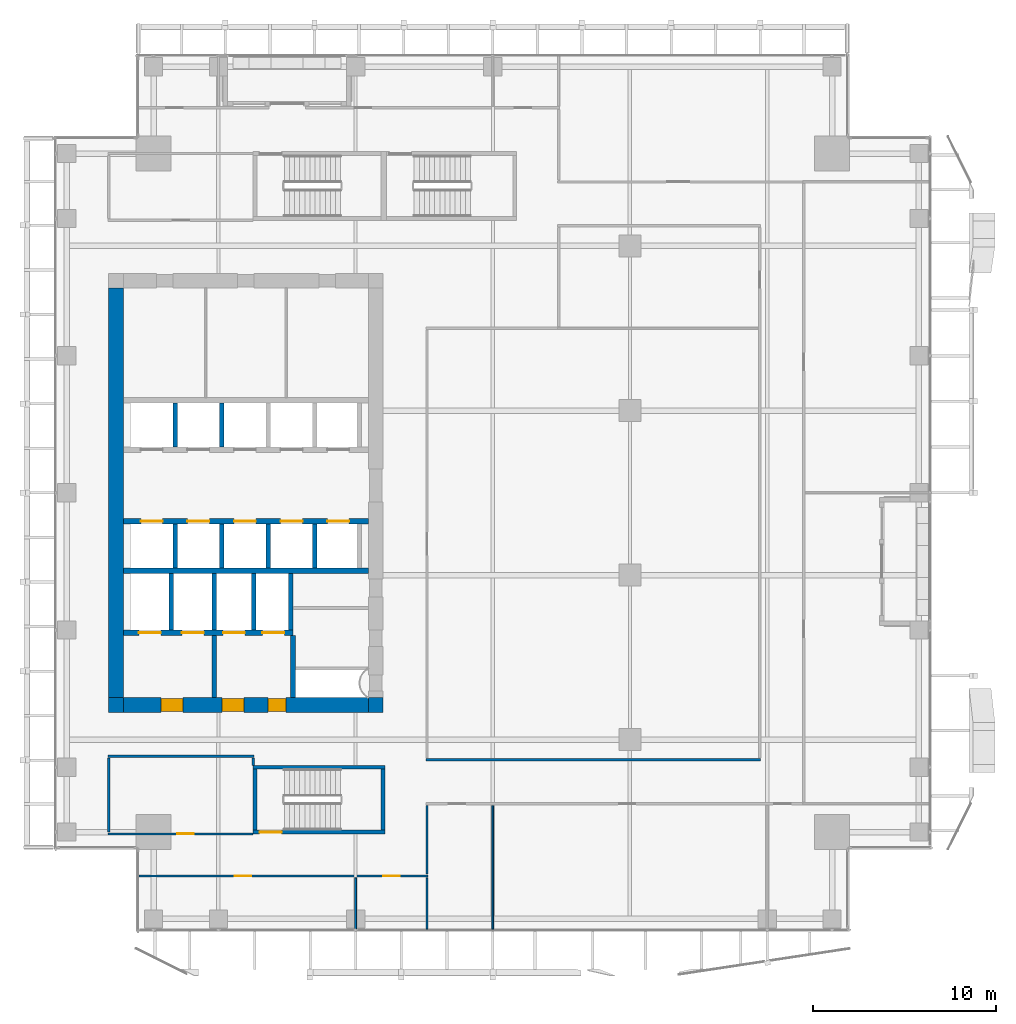
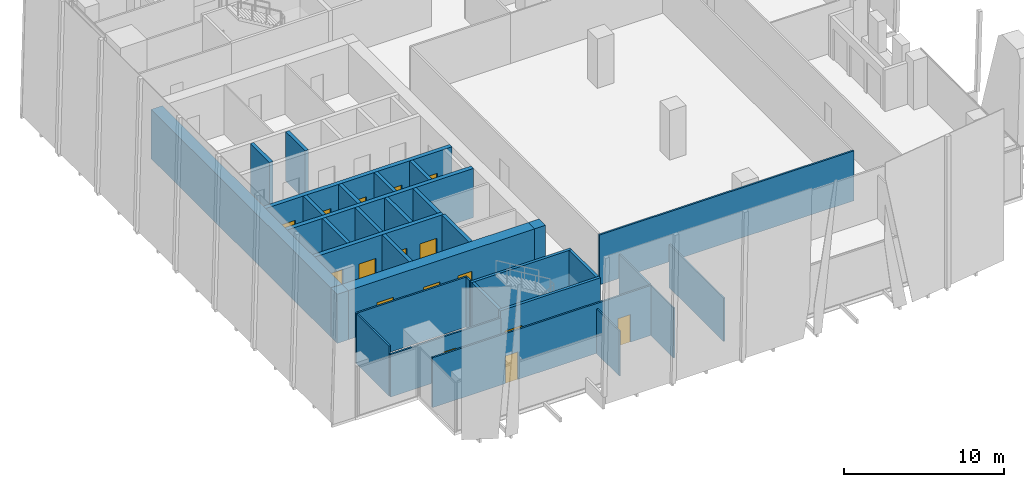
# One storey, part 28 of 35: 33 walls, 16 doors, 16 openings.
"""IFC4 building model written with IfcOpenShell, lengths in metres."""

from ifc_helpers import new_model, si_unit, direction, frame, frame_2d, origin, place, context, subcontext, project, spatial, rectangle, extrude, source, transform, mapped, material, layer, layer_set, type_object, element, fill, save


model = new_model("IFC4")

# Units and contexts
model_context = context("Model", 3, precision=1e-05, world=origin(), true_north=direction((0.0, 1.0)))
body_context = subcontext(model_context, "Body", "Model", "MODEL_VIEW")
ifc_project = project(units=[si_unit("LENGTHUNIT", "METRE"), si_unit("AREAUNIT", "SQUARE_METRE"), si_unit("VOLUMEUNIT", "CUBIC_METRE"), si_unit("PLANEANGLEUNIT", "RADIAN"), si_unit("MASSUNIT", "GRAM", prefix="KILO")], contexts=[model_context])

# Site, building, storey
site_placement = place(None, origin())
site = spatial("IfcSite", under=ifc_project, at=site_placement, CompositionType="ELEMENT")
building_placement = place(site_placement, origin())
building = spatial("IfcBuilding", under=site, at=building_placement, Name="Khomas Fold Tower", CompositionType="ELEMENT")
storey_placement = place(building_placement, frame((0.0, 0.0, 200.699951171875)))
storey = spatial("IfcBuildingStorey", under=building, at=storey_placement, Name="L44", CompositionType="ELEMENT", Elevation=200.699951171875)

# Wall, openings, doors
ifc_material_1 = material(Name="Concrete C60/75", Category="concrete")
ifc_layer_1 = layer(ifc_material_1, 0.800048828125)
ifc_layer_set_1 = layer_set([ifc_layer_1], Name="Concrete C60/75")
wall_type_1 = type_object("IfcWallType", Name="Core wall 800", PredefinedType="SHEAR", material=ifc_layer_set_1)
shared_shape_1 = source(origin(), body_context, "Body", "SweptSolid", [
    extrude(rectangle(XDim=13.39990234375, YDim=0.800048828125, at=frame_2d((6.699951171875, 0.0))), origin(), (0.0, 0.0, 1.0), 3.75),
])
wall_1_placement = place(storey_placement, frame((6.800048828125, 15.39990234375, 0.0), z_axis=(0.0, 0.0, 1.0), x_axis=(1.0, 0.0, 0.0)))
wall_1 = element("IfcWall", 1, at=wall_1_placement, inside=storey, type_object=wall_type_1, Name="Core wall CW-U-S-L35", PredefinedType="SHEAR", context=body_context, shape_type="MappedRepresentation", body=[
    mapped(shared_shape_1, transform((0.0, 0.0, 0.0))),
])
shared_shape_2 = source(origin(), body_context, "Body", "SweptSolid", [
    extrude(rectangle(XDim=1.199951171875, YDim=2.10009765625, at=frame_2d((0.60009765625, 1.050048828125))), frame((0.0, 0.409912109375, 0.0), z_axis=(0.0, -1.0, 0.0), x_axis=(1.0, 0.0, 0.0)), (0.0, 0.0, 1.0), 0.820068359375),
])
opening_1_placement = place(wall_1_placement, frame((5.39990234375, 0.0, 0.0)))
opening_1 = element("IfcOpeningElement", 2, at=opening_1_placement, cuts=wall_1, Name="Opening 0009", PredefinedType="OPENING", context=body_context, shape_type="MappedRepresentation", body=[
    mapped(shared_shape_2, transform((0.0, 0.0, 0.0))),
])
opening_2_placement = place(wall_1_placement, frame((2.050048828125, 0.0, 0.0)))
opening_2 = element("IfcOpeningElement", 3, at=opening_2_placement, cuts=wall_1, Name="Opening 0009", PredefinedType="OPENING", context=body_context, shape_type="MappedRepresentation", body=[
    mapped(shared_shape_2, transform((0.0, 0.0, 0.0))),
])
shared_shape_3 = source(origin(), body_context, "Body", "SweptSolid", [
    extrude(rectangle(XDim=1.0, YDim=2.10009765625, at=frame_2d((0.5, 1.050048828125))), frame((0.0, 0.409912109375, 0.0), z_axis=(0.0, -1.0, 0.0), x_axis=(1.0, 0.0, 0.0)), (0.0, 0.0, 1.0), 0.820068359375),
])
opening_3_placement = place(wall_1_placement, frame((7.89990234375, 0.0, 0.0)))
opening_3 = element("IfcOpeningElement", 4, at=opening_3_placement, cuts=wall_1, Name="Opening 0010", PredefinedType="OPENING", context=body_context, shape_type="MappedRepresentation", body=[
    mapped(shared_shape_3, transform((0.0, 0.0, 0.0))),
])
ifc_material_2 = material(Name="Steel door leaf", Category="steel")
door_type_1 = type_object("IfcDoorType", Name="Lobby door 1200x2100 right-hand", OperationType="SINGLE_SWING_RIGHT", PredefinedType="DOOR", material=ifc_material_2)
shared_shape_4 = source(origin(), body_context, "Body", "SweptSolid", [
    extrude(rectangle(XDim=1.199951171875, YDim=2.10009765625, at=frame_2d((0.60009765625, 1.050048828125))), frame((0.0, 0.35009765625, 0.0), z_axis=(0.0, -1.0, 0.0), x_axis=(1.0, 0.0, 0.0)), (0.0, 0.0, 1.0), 0.699951171875),
])
door_1_placement = place(opening_1_placement, origin())
door_1 = element("IfcDoor", 5, at=door_1_placement, inside=storey, type_object=door_type_1, Name="Lobby door", OperationType="SINGLE_SWING_RIGHT", OverallHeight=2.10009765625, OverallWidth=1.199951171875, PredefinedType="DOOR", context=body_context, shape_type="MappedRepresentation", body=[
    mapped(shared_shape_4, transform((0.0, 0.0, 0.0))),
])
fill(opening_1, door_1)
door_2_placement = place(opening_2_placement, origin())
door_2 = element("IfcDoor", 6, at=door_2_placement, inside=storey, type_object=door_type_1, Name="Lobby door", OperationType="SINGLE_SWING_RIGHT", OverallHeight=2.10009765625, OverallWidth=1.199951171875, PredefinedType="DOOR", context=body_context, shape_type="MappedRepresentation", body=[
    mapped(shared_shape_4, transform((0.0, 0.0, 0.0))),
])
fill(opening_2, door_2)
ifc_material_3 = material(Name="Steel door leaf", Category="steel")
door_type_2 = type_object("IfcDoorType", Name="Stair door 1000x2100 right-hand", OperationType="SINGLE_SWING_RIGHT", PredefinedType="DOOR", material=ifc_material_3)
shared_shape_5 = source(origin(), body_context, "Body", "SweptSolid", [
    extrude(rectangle(XDim=1.0, YDim=2.10009765625, at=frame_2d((0.5, 1.050048828125))), frame((0.0, 0.35009765625, 0.0), z_axis=(0.0, -1.0, 0.0), x_axis=(1.0, 0.0, 0.0)), (0.0, 0.0, 1.0), 0.699951171875),
])
door_3_placement = place(opening_3_placement, origin())
door_3 = element("IfcDoor", 7, at=door_3_placement, inside=storey, type_object=door_type_2, Name="Stair door", OperationType="SINGLE_SWING_RIGHT", OverallHeight=2.10009765625, OverallWidth=1.0, PredefinedType="DOOR", context=body_context, shape_type="MappedRepresentation", body=[
    mapped(shared_shape_5, transform((0.0, 0.0, 0.0))),
])
fill(opening_3, door_3)

# Walls
ifc_material_4 = material(Name="Concrete C60/75", Category="concrete")
ifc_layer_2 = layer(ifc_material_4, 0.800048828125)
ifc_layer_set_2 = layer_set([ifc_layer_2], Name="Concrete C60/75")
wall_type_2 = type_object("IfcWallType", Name="Core corner wall 800", PredefinedType="SHEAR", material=ifc_layer_set_2)
shared_shape_6 = source(origin(), body_context, "Body", "SweptSolid", [
    extrude(rectangle(XDim=0.800048828125, YDim=0.800048828125, at=frame_2d((0.39990234375, 0.0))), origin(), (0.0, 0.0, 1.0), 3.75),
])
for number, where, z_axis, x_axis, name in (
    (8, (20.199951171875, 15.39990234375, 0.0), (0.0, 0.0, 1.0), (1.0, 0.0, 0.0), "Core wall CW-U-SE-L35"),
    (9, (6.0, 15.39990234375, 0.0), (0.0, 0.0, 1.0), (1.0, 0.0, 0.0), "Core wall CW-U-SW-L35"),
):
    element("IfcWall", number, at=place(storey_placement, frame(where, z_axis=z_axis, x_axis=x_axis)), inside=storey, type_object=wall_type_2, Name=name, PredefinedType="SHEAR", context=body_context, shape_type="MappedRepresentation", body=[
        mapped(shared_shape_6, transform((0.0, 0.0, 0.0))),
    ])
shared_shape_7 = source(origin(), body_context, "Body", "SweptSolid", [
    extrude(rectangle(XDim=22.39990234375, YDim=0.800048828125, at=frame_2d((11.199951171875, 0.0))), origin(), (0.0, 0.0, 1.0), 3.75),
])
wall_2_placement = place(storey_placement, frame((6.39990234375, 15.800048828125, 0.0), z_axis=(0.0, 0.0, 1.0), x_axis=(0.0, 1.0, 0.0)))
element("IfcWall", 10, at=wall_2_placement, inside=storey, type_object=wall_type_1, Name="Core wall CW-U-W-L35", PredefinedType="SHEAR", context=body_context, shape_type="MappedRepresentation", body=[
    mapped(shared_shape_7, transform((0.0, 0.0, 0.0))),
])
ifc_material_5 = material(Name="Concrete C50/60", Category="concrete")
ifc_layer_3 = layer(ifc_material_5, 0.199951171875)
ifc_layer_set_3 = layer_set([ifc_layer_3], Name="Concrete C50/60")
wall_type_3 = type_object("IfcWallType", Name="Stair wall 200", PredefinedType="SHEAR", material=ifc_layer_set_3)
shared_shape_8 = source(origin(), body_context, "Body", "SweptSolid", [
    extrude(rectangle(XDim=7.2001953125, YDim=0.199951171875, at=frame_2d((3.60009765625, 0.0))), origin(), (0.0, 0.0, 1.0), 3.75),
])
wall_3_placement = place(storey_placement, frame((13.89990234375, 12.0, 0.0), z_axis=(0.0, 0.0, 1.0), x_axis=(1.0, 0.0, 0.0)))
element("IfcWall", 11, at=wall_3_placement, inside=storey, type_object=wall_type_3, Name="Stair wall SW-ST2-NH", PredefinedType="SHEAR", context=body_context, shape_type="MappedRepresentation", body=[
    mapped(shared_shape_8, transform((0.0, 0.0, 0.0))),
])

# Wall, opening, door
wall_4_placement = place(storey_placement, frame((13.89990234375, 8.449951171875, 0.0), z_axis=(0.0, 0.0, 1.0), x_axis=(1.0, 0.0, 0.0)))
wall_4 = element("IfcWall", 12, at=wall_4_placement, inside=storey, type_object=wall_type_3, Name="Stair wall SW-ST2-S", PredefinedType="SHEAR", context=body_context, shape_type="MappedRepresentation", body=[
    mapped(shared_shape_8, transform((0.0, 0.0, 0.0))),
])
shared_shape_9 = source(origin(), body_context, "Body", "SweptSolid", [
    extrude(rectangle(XDim=1.199951171875, YDim=2.10009765625, at=frame_2d((0.60009765625, 1.050048828125))), frame((0.0, 0.10986328125, 0.0), z_axis=(0.0, -1.0, 0.0), x_axis=(1.0, 0.0, 0.0)), (0.0, 0.0, 1.0), 0.219970703125),
])
opening_4_placement = place(wall_4_placement, frame((0.35009765625, 0.0, 0.0)))
opening_4 = element("IfcOpeningElement", 13, at=opening_4_placement, cuts=wall_4, Name="Opening SD-ST2", PredefinedType="OPENING", context=body_context, shape_type="MappedRepresentation", body=[
    mapped(shared_shape_9, transform((0.0, 0.0, 0.0))),
])
ifc_material_6 = material(Name="Steel door leaf", Category="steel")
door_type_3 = type_object("IfcDoorType", Name="Stair door 1200x2100 right-hand", OperationType="SINGLE_SWING_RIGHT", PredefinedType="DOOR", material=ifc_material_6)
shared_shape_10 = source(origin(), body_context, "Body", "SweptSolid", [
    extrude(rectangle(XDim=1.199951171875, YDim=2.10009765625, at=frame_2d((0.60009765625, 1.050048828125))), frame((0.0, 0.02490234375, 0.0), z_axis=(0.0, -1.0, 0.0), x_axis=(1.0, 0.0, 0.0)), (0.0, 0.0, 1.0), 0.050048828125),
])
door_4_placement = place(opening_4_placement, origin())
door_4 = element("IfcDoor", 14, at=door_4_placement, inside=storey, type_object=door_type_3, Name="Stair door", OperationType="SINGLE_SWING_RIGHT", OverallHeight=2.10009765625, OverallWidth=1.199951171875, PredefinedType="DOOR", context=body_context, shape_type="MappedRepresentation", body=[
    mapped(shared_shape_10, transform((0.0, 0.0, 0.0))),
])
fill(opening_4, door_4)

# Walls
shared_shape_11 = source(origin(), body_context, "Body", "SweptSolid", [
    extrude(rectangle(XDim=3.349853515625, YDim=0.199951171875, at=frame_2d((1.6748046875, 0.0))), origin(), (0.0, 0.0, 1.0), 3.75),
])
for number, where, z_axis, x_axis, name in (
    (15, (21.0, 8.550048828125, 0.0), (0.0, 0.0, 1.0), (0.0, 1.0, 0.0), "Stair wall SW-ST2-E"),
    (16, (14.0, 8.550048828125, 0.0), (0.0, 0.0, 1.0), (0.0, 1.0, 0.0), "Stair wall SW-ST2-W"),
):
    element("IfcWall", number, at=place(storey_placement, frame(where, z_axis=z_axis, x_axis=x_axis)), inside=storey, type_object=wall_type_3, Name=name, PredefinedType="SHEAR", context=body_context, shape_type="MappedRepresentation", body=[
        mapped(shared_shape_11, transform((0.0, 0.0, 0.0))),
    ])
ifc_material_7 = material(Name="Concrete C50/60", Category="concrete")
ifc_layer_4 = layer(ifc_material_7, 0.300048828125)
ifc_layer_set_4 = layer_set([ifc_layer_4], Name="Concrete C50/60")
wall_type_4 = type_object("IfcWallType", Name="Shaft wall 300", PredefinedType="STANDARD", material=ifc_layer_set_4)
shared_shape_12 = source(origin(), body_context, "Body", "SweptSolid", [
    extrude(rectangle(XDim=13.39990234375, YDim=0.300048828125, at=frame_2d((6.699951171875, 0.0))), origin(), (0.0, 0.0, 1.0), 3.75),
])
wall_5_placement = place(storey_placement, frame((6.800048828125, 22.75, 0.0), z_axis=(0.0, 0.0, 1.0), x_axis=(1.0, 0.0, 0.0)))
element("IfcWall", 17, at=wall_5_placement, inside=storey, type_object=wall_type_4, Name="Core wall SW-FS-B", PredefinedType="STANDARD", context=body_context, shape_type="MappedRepresentation", body=[
    mapped(shared_shape_12, transform((0.0, 0.0, 0.0))),
])

# Wall, openings, doors
wall_6_placement = place(storey_placement, frame((6.800048828125, 25.449951171875, 0.0), z_axis=(0.0, 0.0, 1.0), x_axis=(1.0, 0.0, 0.0)))
wall_6 = element("IfcWall", 18, at=wall_6_placement, inside=storey, type_object=wall_type_4, Name="Core wall SW-HRS-F", PredefinedType="STANDARD", context=body_context, shape_type="MappedRepresentation", body=[
    mapped(shared_shape_12, transform((0.0, 0.0, 0.0))),
])
shared_shape_13 = source(origin(), body_context, "Body", "SweptSolid", [
    extrude(rectangle(XDim=1.199951171875, YDim=2.10009765625, at=frame_2d((0.60009765625, 1.050048828125))), frame((0.0, 0.159912109375, 0.0), z_axis=(0.0, -1.0, 0.0), x_axis=(1.0, 0.0, 0.0)), (0.0, 0.0, 1.0), 0.320068359375),
])
opening_5_placement = place(wall_6_placement, frame((0.949951171875, 0.0, 0.0)))
opening_5 = element("IfcOpeningElement", 19, at=opening_5_placement, cuts=wall_6, Name="Opening LD-HR1", PredefinedType="OPENING", context=body_context, shape_type="MappedRepresentation", body=[
    mapped(shared_shape_13, transform((0.0, 0.0, 0.0))),
])
opening_6_placement = place(wall_6_placement, frame((3.5, 0.0, 0.0)))
opening_6 = element("IfcOpeningElement", 20, at=opening_6_placement, cuts=wall_6, Name="Opening LD-HR2", PredefinedType="OPENING", context=body_context, shape_type="MappedRepresentation", body=[
    mapped(shared_shape_13, transform((0.0, 0.0, 0.0))),
])
opening_7_placement = place(wall_6_placement, frame((6.050048828125, 0.0, 0.0)))
opening_7 = element("IfcOpeningElement", 21, at=opening_7_placement, cuts=wall_6, Name="Opening LD-HR3", PredefinedType="OPENING", context=body_context, shape_type="MappedRepresentation", body=[
    mapped(shared_shape_13, transform((0.0, 0.0, 0.0))),
])
opening_8_placement = place(wall_6_placement, frame((8.60009765625, 0.0, 0.0)))
opening_8 = element("IfcOpeningElement", 22, at=opening_8_placement, cuts=wall_6, Name="Opening LD-MR1", PredefinedType="OPENING", context=body_context, shape_type="MappedRepresentation", body=[
    mapped(shared_shape_13, transform((0.0, 0.0, 0.0))),
])
opening_9_placement = place(wall_6_placement, frame((11.14990234375, 0.0, 0.0)))
opening_9 = element("IfcOpeningElement", 23, at=opening_9_placement, cuts=wall_6, Name="Opening LD-MR2", PredefinedType="OPENING", context=body_context, shape_type="MappedRepresentation", body=[
    mapped(shared_shape_13, transform((0.0, 0.0, 0.0))),
])
ifc_material_8 = material(Name="Steel door leaf", Category="steel")
door_type_4 = type_object("IfcDoorType", Name="Landing door 1200x2100", OperationType="DOUBLE_DOOR_SLIDING", PredefinedType="DOOR", material=ifc_material_8)
door_5_placement = place(opening_5_placement, origin())
door_5 = element("IfcDoor", 24, at=door_5_placement, inside=storey, type_object=door_type_4, Name="Lift landing door", OperationType="DOUBLE_DOOR_SLIDING", OverallHeight=2.10009765625, OverallWidth=1.199951171875, PredefinedType="DOOR", context=body_context, shape_type="MappedRepresentation", body=[
    mapped(shared_shape_10, transform((0.0, 0.0, 0.0))),
])
fill(opening_5, door_5)
door_6_placement = place(opening_6_placement, origin())
door_6 = element("IfcDoor", 25, at=door_6_placement, inside=storey, type_object=door_type_4, Name="Lift landing door", OperationType="DOUBLE_DOOR_SLIDING", OverallHeight=2.10009765625, OverallWidth=1.199951171875, PredefinedType="DOOR", context=body_context, shape_type="MappedRepresentation", body=[
    mapped(shared_shape_10, transform((0.0, 0.0, 0.0))),
])
fill(opening_6, door_6)
door_7_placement = place(opening_7_placement, origin())
door_7 = element("IfcDoor", 26, at=door_7_placement, inside=storey, type_object=door_type_4, Name="Lift landing door", OperationType="DOUBLE_DOOR_SLIDING", OverallHeight=2.10009765625, OverallWidth=1.199951171875, PredefinedType="DOOR", context=body_context, shape_type="MappedRepresentation", body=[
    mapped(shared_shape_10, transform((0.0, 0.0, 0.0))),
])
fill(opening_7, door_7)
door_8_placement = place(opening_8_placement, origin())
door_8 = element("IfcDoor", 27, at=door_8_placement, inside=storey, type_object=door_type_4, Name="Lift landing door", OperationType="DOUBLE_DOOR_SLIDING", OverallHeight=2.10009765625, OverallWidth=1.199951171875, PredefinedType="DOOR", context=body_context, shape_type="MappedRepresentation", body=[
    mapped(shared_shape_10, transform((0.0, 0.0, 0.0))),
])
fill(opening_8, door_8)
door_9_placement = place(opening_9_placement, origin())
door_9 = element("IfcDoor", 28, at=door_9_placement, inside=storey, type_object=door_type_4, Name="Lift landing door", OperationType="DOUBLE_DOOR_SLIDING", OverallHeight=2.10009765625, OverallWidth=1.199951171875, PredefinedType="DOOR", context=body_context, shape_type="MappedRepresentation", body=[
    mapped(shared_shape_10, transform((0.0, 0.0, 0.0))),
])
fill(opening_9, door_9)

shared_shape_14 = source(origin(), body_context, "Body", "SweptSolid", [
    extrude(rectangle(XDim=9.27490234375, YDim=0.300048828125, at=frame_2d((4.637451171875, 0.0))), origin(), (0.0, 0.0, 1.0), 3.75),
])
wall_7_placement = place(storey_placement, frame((6.800048828125, 19.35009765625, 0.0), z_axis=(0.0, 0.0, 1.0), x_axis=(1.0, 0.0, 0.0)))
wall_7 = element("IfcWall", 29, at=wall_7_placement, inside=storey, type_object=wall_type_4, Name="Core wall SW-FS-F", PredefinedType="STANDARD", context=body_context, shape_type="MappedRepresentation", body=[
    mapped(shared_shape_14, transform((0.0, 0.0, 0.0))),
])
opening_10_placement = place(wall_7_placement, frame((0.85009765625, 0.0, 0.0)))
opening_10 = element("IfcOpeningElement", 30, at=opening_10_placement, cuts=wall_7, Name="Opening LD-SV1", PredefinedType="OPENING", context=body_context, shape_type="MappedRepresentation", body=[
    mapped(shared_shape_13, transform((0.0, 0.0, 0.0))),
])
opening_11_placement = place(wall_7_placement, frame((3.199951171875, 0.0, 0.0)))
opening_11 = element("IfcOpeningElement", 31, at=opening_11_placement, cuts=wall_7, Name="Opening LD-SV2", PredefinedType="OPENING", context=body_context, shape_type="MappedRepresentation", body=[
    mapped(shared_shape_13, transform((0.0, 0.0, 0.0))),
])
opening_12_placement = place(wall_7_placement, frame((5.449951171875, 0.0, 0.0)))
opening_12 = element("IfcOpeningElement", 32, at=opening_12_placement, cuts=wall_7, Name="Opening LD-FF1", PredefinedType="OPENING", context=body_context, shape_type="MappedRepresentation", body=[
    mapped(shared_shape_13, transform((0.0, 0.0, 0.0))),
])
opening_13_placement = place(wall_7_placement, frame((7.60009765625, 0.0, 0.0)))
opening_13 = element("IfcOpeningElement", 33, at=opening_13_placement, cuts=wall_7, Name="Opening LD-FF2", PredefinedType="OPENING", context=body_context, shape_type="MappedRepresentation", body=[
    mapped(shared_shape_13, transform((0.0, 0.0, 0.0))),
])
door_10_placement = place(opening_10_placement, origin())
door_10 = element("IfcDoor", 34, at=door_10_placement, inside=storey, type_object=door_type_4, Name="Lift landing door", OperationType="DOUBLE_DOOR_SLIDING", OverallHeight=2.10009765625, OverallWidth=1.199951171875, PredefinedType="DOOR", context=body_context, shape_type="MappedRepresentation", body=[
    mapped(shared_shape_10, transform((0.0, 0.0, 0.0))),
])
fill(opening_10, door_10)
door_11_placement = place(opening_11_placement, origin())
door_11 = element("IfcDoor", 35, at=door_11_placement, inside=storey, type_object=door_type_4, Name="Lift landing door", OperationType="DOUBLE_DOOR_SLIDING", OverallHeight=2.10009765625, OverallWidth=1.199951171875, PredefinedType="DOOR", context=body_context, shape_type="MappedRepresentation", body=[
    mapped(shared_shape_10, transform((0.0, 0.0, 0.0))),
])
fill(opening_11, door_11)
door_12_placement = place(opening_12_placement, origin())
door_12 = element("IfcDoor", 36, at=door_12_placement, inside=storey, type_object=door_type_4, Name="Lift landing door", OperationType="DOUBLE_DOOR_SLIDING", OverallHeight=2.10009765625, OverallWidth=1.199951171875, PredefinedType="DOOR", context=body_context, shape_type="MappedRepresentation", body=[
    mapped(shared_shape_10, transform((0.0, 0.0, 0.0))),
])
fill(opening_12, door_12)
door_13_placement = place(opening_13_placement, origin())
door_13 = element("IfcDoor", 37, at=door_13_placement, inside=storey, type_object=door_type_4, Name="Lift landing door", OperationType="DOUBLE_DOOR_SLIDING", OverallHeight=2.10009765625, OverallWidth=1.199951171875, PredefinedType="DOOR", context=body_context, shape_type="MappedRepresentation", body=[
    mapped(shared_shape_10, transform((0.0, 0.0, 0.0))),
])
fill(opening_13, door_13)

# Walls
ifc_material_9 = material(Name="Concrete C50/60", Category="concrete")
ifc_layer_5 = layer(ifc_material_9, 0.25)
ifc_layer_set_5 = layer_set([ifc_layer_5], Name="Concrete C50/60")
wall_type_5 = type_object("IfcWallType", Name="Shaft wall 250", PredefinedType="STANDARD", material=ifc_layer_set_5)
shared_shape_15 = source(origin(), body_context, "Body", "SweptSolid", [
    extrude(rectangle(XDim=3.10009765625, YDim=0.25, at=frame_2d((1.550048828125, 0.0))), origin(), (0.0, 0.0, 1.0), 3.75),
])
for number, where, z_axis, x_axis, name in (
    (38, (9.425048828125, 19.5, 0.0), (0.0, 0.0, 1.0), (0.0, 1.0, 0.0), "Core wall SW-FS-P1"),
    (39, (11.77490234375, 19.5, 0.0), (0.0, 0.0, 1.0), (0.0, 1.0, 0.0), "Core wall SW-FS-P2"),
    (40, (13.925048828125, 19.5, 0.0), (0.0, 0.0, 1.0), (0.0, 1.0, 0.0), "Core wall SW-FS-P3"),
    (41, (15.949951171875, 19.5, 0.0), (0.0, 0.0, 1.0), (0.0, 1.0, 0.0), "Core wall SW-FS-PE"),
):
    element("IfcWall", number, at=place(storey_placement, frame(where, z_axis=z_axis, x_axis=x_axis)), inside=storey, type_object=wall_type_5, Name=name, PredefinedType="STANDARD", context=body_context, shape_type="MappedRepresentation", body=[
        mapped(shared_shape_15, transform((0.0, 0.0, 0.0))),
    ])
shared_shape_16 = source(origin(), body_context, "Body", "SweptSolid", [
    extrude(rectangle(XDim=2.39990234375, YDim=0.25, at=frame_2d((1.199951171875, 0.0))), origin(), (0.0, 0.0, 1.0), 3.75),
])
for number, where, z_axis, x_axis, name in (
    (42, (9.625, 29.5, 0.0), (0.0, 0.0, 1.0), (0.0, 1.0, 0.0), "Core wall SW-HRN-P1"),
    (43, (12.175048828125, 29.5, 0.0), (0.0, 0.0, 1.0), (0.0, 1.0, 0.0), "Core wall SW-HRN-P2"),
):
    element("IfcWall", number, at=place(storey_placement, frame(where, z_axis=z_axis, x_axis=x_axis)), inside=storey, type_object=wall_type_5, Name=name, PredefinedType="STANDARD", context=body_context, shape_type="MappedRepresentation", body=[
        mapped(shared_shape_16, transform((0.0, 0.0, 0.0))),
    ])
shared_shape_17 = source(origin(), body_context, "Body", "SweptSolid", [
    extrude(rectangle(XDim=2.400146484375, YDim=0.25, at=frame_2d((1.2001953125, 0.0))), origin(), (0.0, 0.0, 1.0), 3.75),
])
for number, where, z_axis, x_axis, name in (
    (44, (17.27490234375, 22.89990234375, 0.0), (0.0, 0.0, 1.0), (0.0, 1.0, 0.0), "Core wall SW-HRS-MR-P1"),
    (45, (9.625, 22.89990234375, 0.0), (0.0, 0.0, 1.0), (0.0, 1.0, 0.0), "Core wall SW-HRS-P1"),
    (46, (12.175048828125, 22.89990234375, 0.0), (0.0, 0.0, 1.0), (0.0, 1.0, 0.0), "Core wall SW-HRS-P2"),
    (47, (14.72509765625, 22.89990234375, 0.0), (0.0, 0.0, 1.0), (0.0, 1.0, 0.0), "Core wall SW-HRS-PE"),
):
    element("IfcWall", number, at=place(storey_placement, frame(where, z_axis=z_axis, x_axis=x_axis)), inside=storey, type_object=wall_type_5, Name=name, PredefinedType="STANDARD", context=body_context, shape_type="MappedRepresentation", body=[
        mapped(shared_shape_17, transform((0.0, 0.0, 0.0))),
    ])
ifc_material_10 = material(Name="Concrete C50/60", Category="concrete")
ifc_layer_6 = layer(ifc_material_10, 0.25)
ifc_layer_set_6 = layer_set([ifc_layer_6], Name="Concrete C50/60")
wall_type_6 = type_object("IfcWallType", Name="Lobby wall 250", PredefinedType="STANDARD", material=ifc_layer_set_6)
shared_shape_18 = source(origin(), body_context, "Body", "SweptSolid", [
    extrude(rectangle(XDim=3.39990234375, YDim=0.25, at=frame_2d((1.699951171875, 0.0))), origin(), (0.0, 0.0, 1.0), 3.75),
])
for number, where, z_axis, x_axis, name in (
    (48, (16.074951171875, 15.800048828125, 0.0), (0.0, 0.0, 1.0), (0.0, 1.0, 0.0), "Core wall SW-FS-LOB-E"),
    (49, (11.77490234375, 15.800048828125, 0.0), (0.0, 0.0, 1.0), (0.0, 1.0, 0.0), "Core wall SW-FS-SEP"),
):
    element("IfcWall", number, at=place(storey_placement, frame(where, z_axis=z_axis, x_axis=x_axis)), inside=storey, type_object=wall_type_6, Name=name, PredefinedType="STANDARD", context=body_context, shape_type="MappedRepresentation", body=[
        mapped(shared_shape_18, transform((0.0, 0.0, 0.0))),
    ])
ifc_material_11 = material(Name="Plasterboard partition")
ifc_layer_7 = layer(ifc_material_11, 0.10009765625)
ifc_layer_set_7 = layer_set([ifc_layer_7], Name="Plasterboard partition")
wall_type_7 = type_object("IfcWallType", Name="Partition PW1 100", PredefinedType="PARTITIONING", material=ifc_layer_set_7)
shared_shape_19 = source(origin(), body_context, "Body", "SweptSolid", [
    extrude(rectangle(XDim=2.800048828125, YDim=0.10009765625, at=frame_2d((1.39990234375, 0.0))), origin(), (0.0, 0.0, 1.0), 3.420166015625),
])
wall_8_placement = place(storey_placement, frame((19.5, 3.14990234375, 0.0), z_axis=(0.0, 0.0, 1.0), x_axis=(0.0, 1.0, 0.0)))
element("IfcWall", 50, at=wall_8_placement, inside=storey, type_object=wall_type_7, Name="Partition", PredefinedType="PARTITIONING", context=body_context, shape_type="MappedRepresentation", body=[
    mapped(shared_shape_19, transform((0.0, 0.0, 0.0))),
])

# Wall, opening, door
ifc_material_12 = material(Name="Plasterboard partition")
ifc_layer_8 = layer(ifc_material_12, 0.125)
ifc_layer_set_8 = layer_set([ifc_layer_8], Name="Plasterboard partition")
wall_type_8 = type_object("IfcWallType", Name="Partition PW2 125", PredefinedType="PARTITIONING", material=ifc_layer_set_8)
shared_shape_20 = source(origin(), body_context, "Body", "SweptSolid", [
    extrude(rectangle(XDim=7.949951171875, YDim=0.125, at=frame_2d((3.97509765625, 0.0))), origin(), (0.0, 0.0, 1.0), 3.25),
])
wall_9_placement = place(storey_placement, frame((5.949951171875, 8.35009765625, 0.0), z_axis=(0.0, 0.0, 1.0), x_axis=(1.0, 0.0, 0.0)))
wall_9 = element("IfcWall", 51, at=wall_9_placement, inside=storey, type_object=wall_type_8, Name="Partition", PredefinedType="PARTITIONING", context=body_context, shape_type="MappedRepresentation", body=[
    mapped(shared_shape_20, transform((0.0, 0.0, 0.0))),
])
shared_shape_21 = source(origin(), body_context, "Body", "SweptSolid", [
    extrude(rectangle(XDim=0.89990234375, YDim=2.10009765625, at=frame_2d((0.449951171875, 1.050048828125))), frame((0.0, 0.072509765625, 0.0), z_axis=(0.0, -1.0, 0.0), x_axis=(1.0, 0.0, 0.0)), (0.0, 0.0, 1.0), 0.14501953125),
])
opening_14_placement = place(wall_9_placement, frame((3.800048828125, 0.0, 0.0)))
opening_14 = element("IfcOpeningElement", 52, at=opening_14_placement, cuts=wall_9, Name="Opening 0007", PredefinedType="OPENING", context=body_context, shape_type="MappedRepresentation", body=[
    mapped(shared_shape_21, transform((0.0, 0.0, 0.0))),
])
ifc_material_13 = material(Name="Timber door leaf", Category="wood")
door_type_5 = type_object("IfcDoorType", Name="Door 900x2100 left-hand", OperationType="SINGLE_SWING_LEFT", PredefinedType="DOOR", material=ifc_material_13)
shared_shape_22 = source(origin(), body_context, "Body", "SweptSolid", [
    extrude(rectangle(XDim=0.89990234375, YDim=2.10009765625, at=frame_2d((0.449951171875, 1.050048828125))), frame((0.0, 0.02490234375, 0.0), z_axis=(0.0, -1.0, 0.0), x_axis=(1.0, 0.0, 0.0)), (0.0, 0.0, 1.0), 0.050048828125),
])
door_14_placement = place(opening_14_placement, origin())
door_14 = element("IfcDoor", 53, at=door_14_placement, inside=storey, type_object=door_type_5, Name="Door", OperationType="SINGLE_SWING_LEFT", OverallHeight=2.10009765625, OverallWidth=0.89990234375, PredefinedType="DOOR", context=body_context, shape_type="MappedRepresentation", body=[
    mapped(shared_shape_22, transform((0.0, 0.0, 0.0))),
])
fill(opening_14, door_14)

# Walls
shared_shape_23 = source(origin(), body_context, "Body", "SweptSolid", [
    extrude(rectangle(XDim=4.050048828125, YDim=0.125, at=frame_2d((2.02490234375, 0.0))), origin(), (0.0, 0.0, 1.0), 3.800048828125),
])
wall_10_placement = place(storey_placement, frame((6.0, 8.449951171875, 0.0), z_axis=(0.0, 0.0, 1.0), x_axis=(0.0, 1.0, 0.0)))
element("IfcWall", 54, at=wall_10_placement, inside=storey, type_object=wall_type_8, Name="Partition", PredefinedType="PARTITIONING", context=body_context, shape_type="MappedRepresentation", body=[
    mapped(shared_shape_23, transform((0.0, 0.0, 0.0))),
])
shared_shape_24 = source(origin(), body_context, "Body", "SweptSolid", [
    extrude(rectangle(XDim=0.39990234375, YDim=0.125, at=frame_2d((0.199951171875, 0.0))), origin(), (0.0, 0.0, 1.0), 3.800048828125),
])
wall_11_placement = place(storey_placement, frame((13.89990234375, 12.10009765625, 0.0), z_axis=(0.0, 0.0, 1.0), x_axis=(0.0, 1.0, 0.0)))
element("IfcWall", 55, at=wall_11_placement, inside=storey, type_object=wall_type_8, Name="Partition", PredefinedType="PARTITIONING", context=body_context, shape_type="MappedRepresentation", body=[
    mapped(shared_shape_24, transform((0.0, 0.0, 0.0))),
])
shared_shape_25 = source(origin(), body_context, "Body", "SweptSolid", [
    extrude(rectangle(XDim=8.0, YDim=0.125, at=frame_2d((4.0, 0.0))), origin(), (0.0, 0.0, 1.0), 3.800048828125),
])
wall_12_placement = place(storey_placement, frame((5.949951171875, 12.60009765625, 0.0), z_axis=(0.0, 0.0, 1.0), x_axis=(1.0, 0.0, 0.0)))
element("IfcWall", 56, at=wall_12_placement, inside=storey, type_object=wall_type_8, Name="Partition", PredefinedType="PARTITIONING", context=body_context, shape_type="MappedRepresentation", body=[
    mapped(shared_shape_25, transform((0.0, 0.0, 0.0))),
])
shared_shape_26 = source(origin(), body_context, "Body", "SweptSolid", [
    extrude(rectangle(XDim=18.2998046875, YDim=0.125, at=frame_2d((9.14990234375, 0.0))), origin(), (0.0, 0.0, 1.0), 3.800048828125),
])
wall_13_placement = place(storey_placement, frame((23.35009765625, 12.39990234375, 0.0), z_axis=(0.0, 0.0, 1.0), x_axis=(1.0, 0.0, 0.0)))
element("IfcWall", 57, at=wall_13_placement, inside=storey, type_object=wall_type_8, Name="Partition", PredefinedType="PARTITIONING", context=body_context, shape_type="MappedRepresentation", body=[
    mapped(shared_shape_26, transform((0.0, 0.0, 0.0))),
])
shared_shape_27 = source(origin(), body_context, "Body", "SweptSolid", [
    extrude(rectangle(XDim=2.800048828125, YDim=0.10009765625, at=frame_2d((1.39990234375, 0.0))), origin(), (0.0, 0.0, 1.0), 3.800048828125),
])
wall_14_placement = place(storey_placement, frame((23.39990234375, 3.14990234375, 0.0), z_axis=(0.0, 0.0, 1.0), x_axis=(0.0, 1.0, 0.0)))
element("IfcWall", 58, at=wall_14_placement, inside=storey, type_object=wall_type_7, Name="Partition", PredefinedType="PARTITIONING", context=body_context, shape_type="MappedRepresentation", body=[
    mapped(shared_shape_27, transform((0.0, 0.0, 0.0))),
])

# Wall, openings, doors
shared_shape_28 = source(origin(), body_context, "Body", "SweptSolid", [
    extrude(rectangle(XDim=15.800048828125, YDim=0.125, at=frame_2d((7.89990234375, 0.0))), origin(), (0.0, 0.0, 1.0), 3.800048828125),
])
wall_15_placement = place(storey_placement, frame((7.64990234375, 6.050048828125, 0.0), z_axis=(0.0, 0.0, 1.0), x_axis=(1.0, 0.0, 0.0)))
wall_15 = element("IfcWall", 59, at=wall_15_placement, inside=storey, type_object=wall_type_8, Name="Partition", PredefinedType="PARTITIONING", context=body_context, shape_type="MappedRepresentation", body=[
    mapped(shared_shape_28, transform((0.0, 0.0, 0.0))),
])
opening_15_placement = place(wall_15_placement, frame((5.25, 0.0, 0.0)))
opening_15 = element("IfcOpeningElement", 60, at=opening_15_placement, cuts=wall_15, Name="Opening 0007", PredefinedType="OPENING", context=body_context, shape_type="MappedRepresentation", body=[
    mapped(shared_shape_21, transform((0.0, 0.0, 0.0))),
])
opening_16_placement = place(wall_15_placement, frame((13.35009765625, 0.0, 0.0)))
opening_16 = element("IfcOpeningElement", 61, at=opening_16_placement, cuts=wall_15, Name="Opening 0007", PredefinedType="OPENING", context=body_context, shape_type="MappedRepresentation", body=[
    mapped(shared_shape_21, transform((0.0, 0.0, 0.0))),
])
door_15_placement = place(opening_15_placement, origin())
door_15 = element("IfcDoor", 62, at=door_15_placement, inside=storey, type_object=door_type_5, Name="Door", OperationType="SINGLE_SWING_LEFT", OverallHeight=2.10009765625, OverallWidth=0.89990234375, PredefinedType="DOOR", context=body_context, shape_type="MappedRepresentation", body=[
    mapped(shared_shape_22, transform((0.0, 0.0, 0.0))),
])
fill(opening_15, door_15)
door_16_placement = place(opening_16_placement, origin())
door_16 = element("IfcDoor", 63, at=door_16_placement, inside=storey, type_object=door_type_5, Name="Door", OperationType="SINGLE_SWING_LEFT", OverallHeight=2.10009765625, OverallWidth=0.89990234375, PredefinedType="DOOR", context=body_context, shape_type="MappedRepresentation", body=[
    mapped(shared_shape_22, transform((0.0, 0.0, 0.0))),
])
fill(opening_16, door_16)

# Walls
shared_shape_29 = source(origin(), body_context, "Body", "SweptSolid", [
    extrude(rectangle(XDim=3.75, YDim=0.125, at=frame_2d((1.875, 0.0))), origin(), (0.0, 0.0, 1.0), 3.800048828125),
])
wall_16_placement = place(storey_placement, frame((23.39990234375, 6.14990234375, 0.0), z_axis=(0.0, 0.0, 1.0), x_axis=(0.0, 1.0, 0.0)))
element("IfcWall", 64, at=wall_16_placement, inside=storey, type_object=wall_type_8, Name="Partition", PredefinedType="PARTITIONING", context=body_context, shape_type="MappedRepresentation", body=[
    mapped(shared_shape_29, transform((0.0, 0.0, 0.0))),
])
shared_shape_30 = source(origin(), body_context, "Body", "SweptSolid", [
    extrude(rectangle(XDim=6.75, YDim=0.10009765625, at=frame_2d((3.375, 0.0))), origin(), (0.0, 0.0, 1.0), 3.300048828125),
])
wall_17_placement = place(storey_placement, frame((27.0, 3.14990234375, 0.0), z_axis=(0.0, 0.0, 1.0), x_axis=(0.0, 1.0, 0.0)))
element("IfcWall", 65, at=wall_17_placement, inside=storey, type_object=wall_type_7, Name="Partition", PredefinedType="PARTITIONING", context=body_context, shape_type="MappedRepresentation", body=[
    mapped(shared_shape_30, transform((0.0, 0.0, 0.0))),
])

save(model, "model.ifc")
